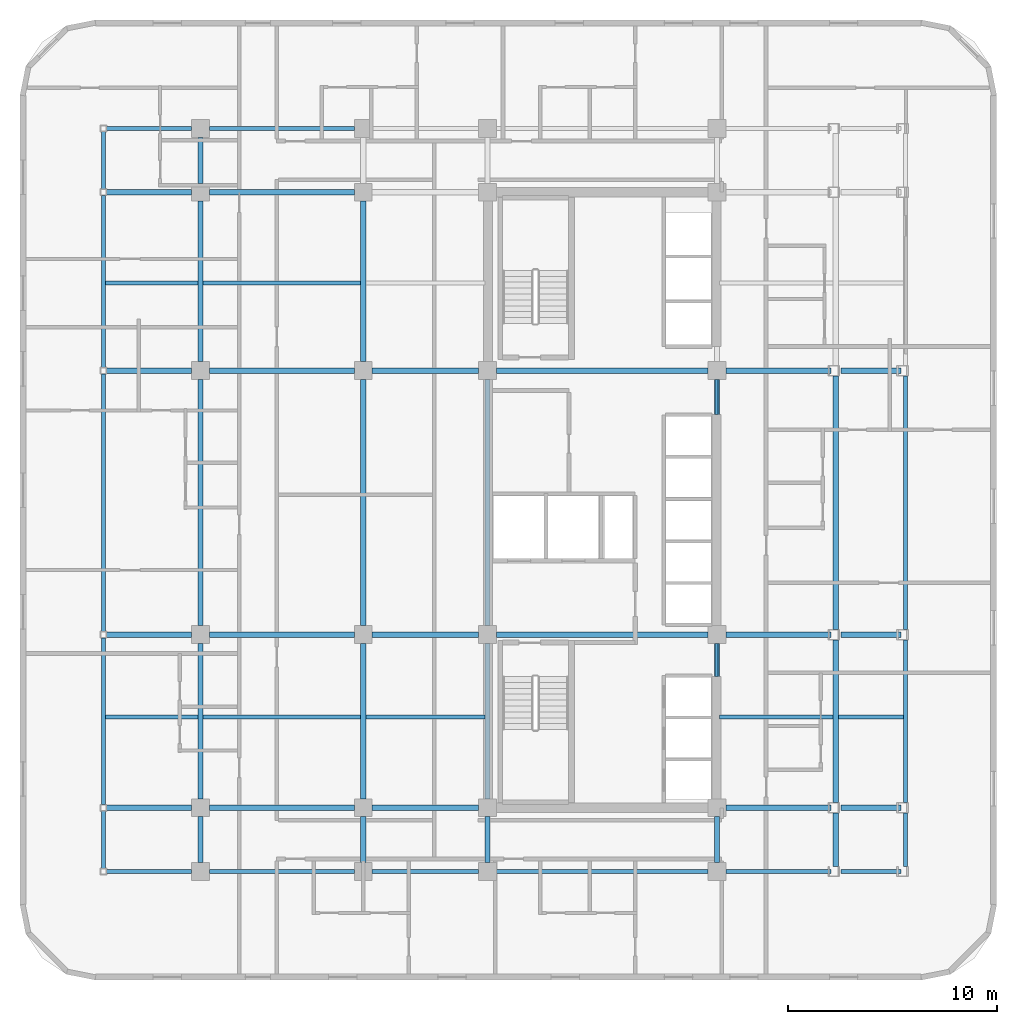
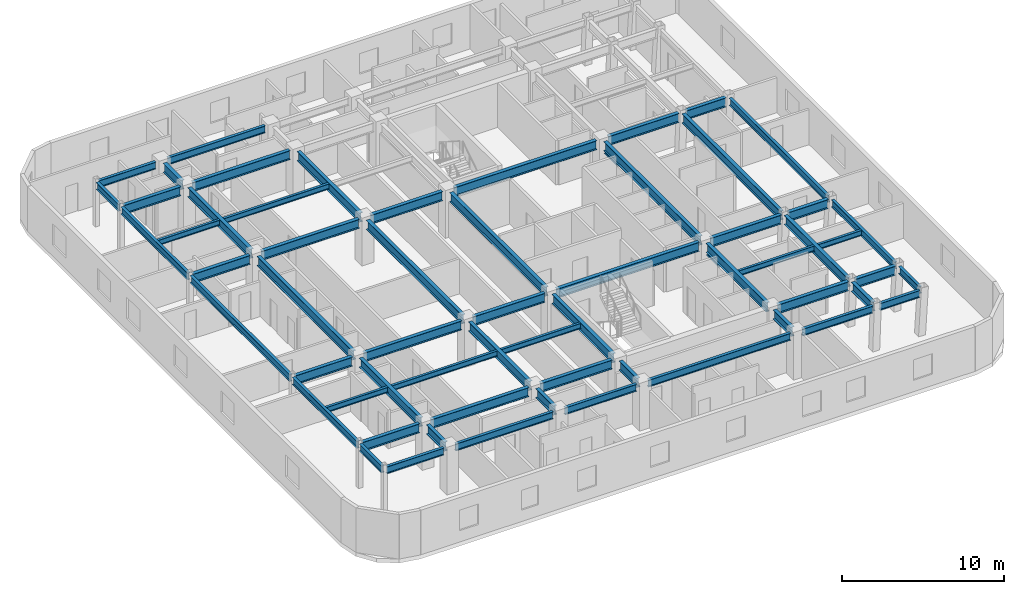
# One storey, part 4 of 12: 62 beams.
"""IFC4 building model written with IfcOpenShell, lengths in metres."""

from ifc_helpers import new_model, si_unit, direction, frame, origin, origin_2d, place, context, subcontext, project, spatial, i_section, extrude, material, material_profile, profile_set, type_object, element, save


model = new_model("IFC4")

# Units and contexts
model_context = context("Model", 3, precision=1e-05, world=origin(), true_north=direction((0.0, 1.0)))
body_context = subcontext(model_context, "Body", "Model", "MODEL_VIEW")
ifc_project = project(units=[si_unit("LENGTHUNIT", "METRE"), si_unit("AREAUNIT", "SQUARE_METRE"), si_unit("VOLUMEUNIT", "CUBIC_METRE"), si_unit("PLANEANGLEUNIT", "RADIAN"), si_unit("MASSUNIT", "GRAM", prefix="KILO")], contexts=[model_context])

# Site, building, storey
site_placement = place(None, origin())
site = spatial("IfcSite", under=ifc_project, at=site_placement, CompositionType="ELEMENT")
building_placement = place(site_placement, origin())
building = spatial("IfcBuilding", under=site, at=building_placement, Name="Ochreholt Gables", CompositionType="ELEMENT")
storey_placement = place(building_placement, frame((0.0, 0.0, 24.0)))
storey = spatial("IfcBuildingStorey", under=building, at=storey_placement, Name="L05", CompositionType="ELEMENT", Elevation=24.0)

# Beams
ifc_material = material(Name="Steel CSA G40.21 350W", Category="steel")
ifc_material_profile_1 = material_profile(ifc_material, i_section(OverallWidth=0.256103515625, OverallDepth=0.693115234375, WebThickness=0.014404296875, FlangeThickness=0.023681640625, at=origin_2d()), Name="W690X170")
ifc_profile_set_1 = profile_set([ifc_material_profile_1], Name="Steel CSA G40.21 350W")
beam_type_1 = type_object("IfcBeamType", Name="BM-G-W690", PredefinedType="BEAM", material=ifc_profile_set_1)
beam_1_placement = place(storey_placement, frame((5.9521484375, 9.25, 3.013427734375), z_axis=(1.0, 0.0, 0.0), x_axis=(0.0, 1.0, 0.0)))
element("IfcBeam", 1, at=beam_1_placement, inside=storey, type_object=beam_type_1, Name="L05 Beam TBG-L05-WTW2-Y2", PredefinedType="BEAM", context=body_context, shape_type="SweptSolid", body=[
    extrude(i_section(OverallWidth=0.256103515625, OverallDepth=0.693115234375, WebThickness=0.014404296875, FlangeThickness=0.023681640625, at=origin_2d()), origin(), (0.0, 0.0, 1.0), 4.0732421875),
])
beam_2_placement = place(storey_placement, frame((10.87451171875, 9.25, 3.013427734375), z_axis=(1.0, 0.0, 0.0), x_axis=(0.0, 1.0, 0.0)))
element("IfcBeam", 2, at=beam_2_placement, inside=storey, type_object=beam_type_1, Name="L05 Beam TBG-L05-W2W3-Y2", PredefinedType="BEAM", context=body_context, shape_type="SweptSolid", body=[
    extrude(i_section(OverallWidth=0.256103515625, OverallDepth=0.693115234375, WebThickness=0.014404296875, FlangeThickness=0.023681640625, at=origin_2d()), origin(), (0.0, 0.0, 1.0), 6.950927734375),
])
beam_3_placement = place(storey_placement, frame((18.674560546875, 9.25, 3.013427734375), z_axis=(1.0, 0.0, 0.0), x_axis=(0.0, 1.0, 0.0)))
element("IfcBeam", 3, at=beam_3_placement, inside=storey, type_object=beam_type_1, Name="L05 Beam TBG-L05-W3C1-Y2", PredefinedType="BEAM", context=body_context, shape_type="SweptSolid", body=[
    extrude(i_section(OverallWidth=0.256103515625, OverallDepth=0.693115234375, WebThickness=0.014404296875, FlangeThickness=0.023681640625, at=origin_2d()), origin(), (0.0, 0.0, 1.0), 5.100830078125),
])
beam_4_placement = place(storey_placement, frame((35.62451171875, 9.25, 3.013427734375), z_axis=(1.0, 0.0, 0.0), x_axis=(0.0, 1.0, 0.0)))
element("IfcBeam", 4, at=beam_4_placement, inside=storey, type_object=beam_type_1, Name="L05 Beam TBG-L05-C2EM-Y2", PredefinedType="BEAM", context=body_context, shape_type="SweptSolid", body=[
    extrude(i_section(OverallWidth=0.256103515625, OverallDepth=0.693115234375, WebThickness=0.014404296875, FlangeThickness=0.023681640625, at=origin_2d()), origin(), (0.0, 0.0, 1.0), 5.02783203125),
])
beam_5_placement = place(storey_placement, frame((41.151611328125, 9.25, 3.013427734375), z_axis=(1.0, 0.0, 0.0), x_axis=(0.0, 1.0, 0.0)))
element("IfcBeam", 5, at=beam_5_placement, inside=storey, type_object=beam_type_1, Name="L05 Beam TBG-L05-EMEE-Y2", PredefinedType="BEAM", context=body_context, shape_type="SweptSolid", body=[
    extrude(i_section(OverallWidth=0.256103515625, OverallDepth=0.693115234375, WebThickness=0.014404296875, FlangeThickness=0.023681640625, at=origin_2d()), origin(), (0.0, 0.0, 1.0), 2.8564453125),
])
beam_6_placement = place(storey_placement, frame((5.9521484375, 17.550048828125, 3.013427734375), z_axis=(1.0, 0.0, 0.0), x_axis=(0.0, 1.0, 0.0)))
element("IfcBeam", 6, at=beam_6_placement, inside=storey, type_object=beam_type_1, Name="L05 Beam TBG-L05-WTW2-Y3", PredefinedType="BEAM", context=body_context, shape_type="SweptSolid", body=[
    extrude(i_section(OverallWidth=0.256103515625, OverallDepth=0.693115234375, WebThickness=0.014404296875, FlangeThickness=0.023681640625, at=origin_2d()), origin(), (0.0, 0.0, 1.0), 4.0732421875),
])
beam_7_placement = place(storey_placement, frame((10.87451171875, 17.550048828125, 3.013427734375), z_axis=(1.0, 0.0, 0.0), x_axis=(0.0, 1.0, 0.0)))
element("IfcBeam", 7, at=beam_7_placement, inside=storey, type_object=beam_type_1, Name="L05 Beam TBG-L05-W2W3-Y3", PredefinedType="BEAM", context=body_context, shape_type="SweptSolid", body=[
    extrude(i_section(OverallWidth=0.256103515625, OverallDepth=0.693115234375, WebThickness=0.014404296875, FlangeThickness=0.023681640625, at=origin_2d()), origin(), (0.0, 0.0, 1.0), 6.950927734375),
])
beam_8_placement = place(storey_placement, frame((18.674560546875, 17.550048828125, 3.013427734375), z_axis=(1.0, 0.0, 0.0), x_axis=(0.0, 1.0, 0.0)))
element("IfcBeam", 8, at=beam_8_placement, inside=storey, type_object=beam_type_1, Name="L05 Beam TBG-L05-W3C1-Y3", PredefinedType="BEAM", context=body_context, shape_type="SweptSolid", body=[
    extrude(i_section(OverallWidth=0.256103515625, OverallDepth=0.693115234375, WebThickness=0.014404296875, FlangeThickness=0.023681640625, at=origin_2d()), origin(), (0.0, 0.0, 1.0), 5.100830078125),
])
beam_9_placement = place(storey_placement, frame((24.62451171875, 17.550048828125, 3.013427734375), z_axis=(1.0, 0.0, 0.0), x_axis=(0.0, 1.0, 0.0)))
element("IfcBeam", 9, at=beam_9_placement, inside=storey, type_object=beam_type_1, Name="L05 Beam TBG-L05-C1C2-Y3", PredefinedType="BEAM", context=body_context, shape_type="SweptSolid", body=[
    extrude(i_section(OverallWidth=0.256103515625, OverallDepth=0.693115234375, WebThickness=0.014404296875, FlangeThickness=0.023681640625, at=origin_2d()), origin(), (0.0, 0.0, 1.0), 10.15087890625),
])
beam_10_placement = place(storey_placement, frame((35.62451171875, 17.550048828125, 3.013427734375), z_axis=(1.0, 0.0, 0.0), x_axis=(0.0, 1.0, 0.0)))
element("IfcBeam", 10, at=beam_10_placement, inside=storey, type_object=beam_type_1, Name="L05 Beam TBG-L05-C2EM-Y3", PredefinedType="BEAM", context=body_context, shape_type="SweptSolid", body=[
    extrude(i_section(OverallWidth=0.256103515625, OverallDepth=0.693115234375, WebThickness=0.014404296875, FlangeThickness=0.023681640625, at=origin_2d()), origin(), (0.0, 0.0, 1.0), 5.02783203125),
])
beam_11_placement = place(storey_placement, frame((41.151611328125, 17.550048828125, 3.013427734375), z_axis=(1.0, 0.0, 0.0), x_axis=(0.0, 1.0, 0.0)))
element("IfcBeam", 11, at=beam_11_placement, inside=storey, type_object=beam_type_1, Name="L05 Beam TBG-L05-EMEE-Y3", PredefinedType="BEAM", context=body_context, shape_type="SweptSolid", body=[
    extrude(i_section(OverallWidth=0.256103515625, OverallDepth=0.693115234375, WebThickness=0.014404296875, FlangeThickness=0.023681640625, at=origin_2d()), origin(), (0.0, 0.0, 1.0), 2.8564453125),
])
beam_12_placement = place(storey_placement, frame((5.9521484375, 30.199951171875, 3.013427734375), z_axis=(1.0, 0.0, 0.0), x_axis=(0.0, 1.0, 0.0)))
element("IfcBeam", 12, at=beam_12_placement, inside=storey, type_object=beam_type_1, Name="L05 Beam TBG-L05-WTW2-Y4", PredefinedType="BEAM", context=body_context, shape_type="SweptSolid", body=[
    extrude(i_section(OverallWidth=0.256103515625, OverallDepth=0.693115234375, WebThickness=0.014404296875, FlangeThickness=0.023681640625, at=origin_2d()), origin(), (0.0, 0.0, 1.0), 4.0732421875),
])
beam_13_placement = place(storey_placement, frame((10.87451171875, 30.199951171875, 3.013427734375), z_axis=(1.0, 0.0, 0.0), x_axis=(0.0, 1.0, 0.0)))
element("IfcBeam", 13, at=beam_13_placement, inside=storey, type_object=beam_type_1, Name="L05 Beam TBG-L05-W2W3-Y4", PredefinedType="BEAM", context=body_context, shape_type="SweptSolid", body=[
    extrude(i_section(OverallWidth=0.256103515625, OverallDepth=0.693115234375, WebThickness=0.014404296875, FlangeThickness=0.023681640625, at=origin_2d()), origin(), (0.0, 0.0, 1.0), 6.950927734375),
])
beam_14_placement = place(storey_placement, frame((18.674560546875, 30.199951171875, 3.013427734375), z_axis=(1.0, 0.0, 0.0), x_axis=(0.0, 1.0, 0.0)))
element("IfcBeam", 14, at=beam_14_placement, inside=storey, type_object=beam_type_1, Name="L05 Beam TBG-L05-W3C1-Y4", PredefinedType="BEAM", context=body_context, shape_type="SweptSolid", body=[
    extrude(i_section(OverallWidth=0.256103515625, OverallDepth=0.693115234375, WebThickness=0.014404296875, FlangeThickness=0.023681640625, at=origin_2d()), origin(), (0.0, 0.0, 1.0), 5.100830078125),
])
beam_15_placement = place(storey_placement, frame((24.62451171875, 30.199951171875, 3.013427734375), z_axis=(1.0, 0.0, 0.0), x_axis=(0.0, 1.0, 0.0)))
element("IfcBeam", 15, at=beam_15_placement, inside=storey, type_object=beam_type_1, Name="L05 Beam TBG-L05-C1C2-Y4", PredefinedType="BEAM", context=body_context, shape_type="SweptSolid", body=[
    extrude(i_section(OverallWidth=0.256103515625, OverallDepth=0.693115234375, WebThickness=0.014404296875, FlangeThickness=0.023681640625, at=origin_2d()), origin(), (0.0, 0.0, 1.0), 10.15087890625),
])
beam_16_placement = place(storey_placement, frame((35.62451171875, 30.199951171875, 3.013427734375), z_axis=(1.0, 0.0, 0.0), x_axis=(0.0, 1.0, 0.0)))
element("IfcBeam", 16, at=beam_16_placement, inside=storey, type_object=beam_type_1, Name="L05 Beam TBG-L05-C2EM-Y4", PredefinedType="BEAM", context=body_context, shape_type="SweptSolid", body=[
    extrude(i_section(OverallWidth=0.256103515625, OverallDepth=0.693115234375, WebThickness=0.014404296875, FlangeThickness=0.023681640625, at=origin_2d()), origin(), (0.0, 0.0, 1.0), 5.02783203125),
])
beam_17_placement = place(storey_placement, frame((41.151611328125, 30.199951171875, 3.013427734375), z_axis=(1.0, 0.0, 0.0), x_axis=(0.0, 1.0, 0.0)))
element("IfcBeam", 17, at=beam_17_placement, inside=storey, type_object=beam_type_1, Name="L05 Beam TBG-L05-EMEE-Y4", PredefinedType="BEAM", context=body_context, shape_type="SweptSolid", body=[
    extrude(i_section(OverallWidth=0.256103515625, OverallDepth=0.693115234375, WebThickness=0.014404296875, FlangeThickness=0.023681640625, at=origin_2d()), origin(), (0.0, 0.0, 1.0), 2.8564453125),
])
beam_18_placement = place(storey_placement, frame((5.9521484375, 38.75, 3.013427734375), z_axis=(1.0, 0.0, 0.0), x_axis=(0.0, 1.0, 0.0)))
element("IfcBeam", 18, at=beam_18_placement, inside=storey, type_object=beam_type_1, Name="L05 Beam TBG-L05-WTW2-Y5", PredefinedType="BEAM", context=body_context, shape_type="SweptSolid", body=[
    extrude(i_section(OverallWidth=0.256103515625, OverallDepth=0.693115234375, WebThickness=0.014404296875, FlangeThickness=0.023681640625, at=origin_2d()), origin(), (0.0, 0.0, 1.0), 4.0732421875),
])
beam_19_placement = place(storey_placement, frame((10.87451171875, 38.75, 3.013427734375), z_axis=(1.0, 0.0, 0.0), x_axis=(0.0, 1.0, 0.0)))
element("IfcBeam", 19, at=beam_19_placement, inside=storey, type_object=beam_type_1, Name="L05 Beam TBG-L05-W2W3-Y5", PredefinedType="BEAM", context=body_context, shape_type="SweptSolid", body=[
    extrude(i_section(OverallWidth=0.256103515625, OverallDepth=0.693115234375, WebThickness=0.014404296875, FlangeThickness=0.023681640625, at=origin_2d()), origin(), (0.0, 0.0, 1.0), 6.950927734375),
])
beam_20_placement = place(storey_placement, frame((10.449951171875, 6.62451171875, 3.013427734375), z_axis=(0.0, 1.0, 0.0), x_axis=(-1.0, 0.0, 0.0)))
element("IfcBeam", 20, at=beam_20_placement, inside=storey, type_object=beam_type_1, Name="L05 Beam TBN-L05-W2-Y1Y2", PredefinedType="BEAM", context=body_context, shape_type="SweptSolid", body=[
    extrude(i_section(OverallWidth=0.256103515625, OverallDepth=0.693115234375, WebThickness=0.014404296875, FlangeThickness=0.023681640625, at=origin_2d()), origin(), (0.0, 0.0, 1.0), 2.200927734375),
])
beam_21_placement = place(storey_placement, frame((10.449951171875, 9.674560546875, 3.013427734375), z_axis=(0.0, 1.0, 0.0), x_axis=(-1.0, 0.0, 0.0)))
element("IfcBeam", 21, at=beam_21_placement, inside=storey, type_object=beam_type_1, Name="L05 Beam TBN-L05-W2-Y2Y3", PredefinedType="BEAM", context=body_context, shape_type="SweptSolid", body=[
    extrude(i_section(OverallWidth=0.256103515625, OverallDepth=0.693115234375, WebThickness=0.014404296875, FlangeThickness=0.023681640625, at=origin_2d()), origin(), (0.0, 0.0, 1.0), 7.450927734375),
])
beam_22_placement = place(storey_placement, frame((10.449951171875, 17.974609375, 3.013427734375), z_axis=(0.0, 1.0, 0.0), x_axis=(-1.0, 0.0, 0.0)))
element("IfcBeam", 22, at=beam_22_placement, inside=storey, type_object=beam_type_1, Name="L05 Beam TBN-L05-W2-Y3Y4", PredefinedType="BEAM", context=body_context, shape_type="SweptSolid", body=[
    extrude(i_section(OverallWidth=0.256103515625, OverallDepth=0.693115234375, WebThickness=0.014404296875, FlangeThickness=0.023681640625, at=origin_2d()), origin(), (0.0, 0.0, 1.0), 11.80078125),
])
beam_23_placement = place(storey_placement, frame((10.449951171875, 30.62451171875, 3.013427734375), z_axis=(0.0, 1.0, 0.0), x_axis=(-1.0, 0.0, 0.0)))
element("IfcBeam", 23, at=beam_23_placement, inside=storey, type_object=beam_type_1, Name="L05 Beam TBN-L05-W2-Y4Y5", PredefinedType="BEAM", context=body_context, shape_type="SweptSolid", body=[
    extrude(i_section(OverallWidth=0.256103515625, OverallDepth=0.693115234375, WebThickness=0.014404296875, FlangeThickness=0.023681640625, at=origin_2d()), origin(), (0.0, 0.0, 1.0), 7.700927734375),
])
for number, where, z_axis, x_axis, name in (
    (24, (10.449951171875, 39.174560546875, 3.013427734375), (0.0, 1.0, 0.0), (-1.0, 0.0, 0.0), "L05 Beam TBN-L05-W2-Y5Y6"),
    (25, (18.25, 6.62451171875, 3.013427734375), (0.0, 1.0, 0.0), (-1.0, 0.0, 0.0), "L05 Beam TBN-L05-W3-Y1Y2"),
):
    element("IfcBeam", number, at=place(storey_placement, frame(where, z_axis=z_axis, x_axis=x_axis)), inside=storey, type_object=beam_type_1, Name=name, PredefinedType="BEAM", context=body_context, shape_type="SweptSolid", body=[
        extrude(i_section(OverallWidth=0.256103515625, OverallDepth=0.693115234375, WebThickness=0.014404296875, FlangeThickness=0.023681640625, at=origin_2d()), origin(), (0.0, 0.0, 1.0), 2.200927734375),
    ])
beam_24_placement = place(storey_placement, frame((18.25, 9.674560546875, 3.013427734375), z_axis=(0.0, 1.0, 0.0), x_axis=(-1.0, 0.0, 0.0)))
element("IfcBeam", 26, at=beam_24_placement, inside=storey, type_object=beam_type_1, Name="L05 Beam TBN-L05-W3-Y2Y3", PredefinedType="BEAM", context=body_context, shape_type="SweptSolid", body=[
    extrude(i_section(OverallWidth=0.256103515625, OverallDepth=0.693115234375, WebThickness=0.014404296875, FlangeThickness=0.023681640625, at=origin_2d()), origin(), (0.0, 0.0, 1.0), 7.450927734375),
])
beam_25_placement = place(storey_placement, frame((18.25, 17.974609375, 3.013427734375), z_axis=(0.0, 1.0, 0.0), x_axis=(-1.0, 0.0, 0.0)))
element("IfcBeam", 27, at=beam_25_placement, inside=storey, type_object=beam_type_1, Name="L05 Beam TBN-L05-W3-Y3Y4", PredefinedType="BEAM", context=body_context, shape_type="SweptSolid", body=[
    extrude(i_section(OverallWidth=0.256103515625, OverallDepth=0.693115234375, WebThickness=0.014404296875, FlangeThickness=0.023681640625, at=origin_2d()), origin(), (0.0, 0.0, 1.0), 11.80078125),
])
beam_26_placement = place(storey_placement, frame((18.25, 30.62451171875, 3.013427734375), z_axis=(0.0, 1.0, 0.0), x_axis=(-1.0, 0.0, 0.0)))
element("IfcBeam", 28, at=beam_26_placement, inside=storey, type_object=beam_type_1, Name="L05 Beam TBN-L05-W3-Y4Y5", PredefinedType="BEAM", context=body_context, shape_type="SweptSolid", body=[
    extrude(i_section(OverallWidth=0.256103515625, OverallDepth=0.693115234375, WebThickness=0.014404296875, FlangeThickness=0.023681640625, at=origin_2d()), origin(), (0.0, 0.0, 1.0), 7.700927734375),
])
beam_27_placement = place(storey_placement, frame((24.199951171875, 6.62451171875, 3.013427734375), z_axis=(0.0, 1.0, 0.0), x_axis=(-1.0, 0.0, 0.0)))
element("IfcBeam", 29, at=beam_27_placement, inside=storey, type_object=beam_type_1, Name="L05 Beam TBN-L05-C1-Y1Y2", PredefinedType="BEAM", context=body_context, shape_type="SweptSolid", body=[
    extrude(i_section(OverallWidth=0.256103515625, OverallDepth=0.693115234375, WebThickness=0.014404296875, FlangeThickness=0.023681640625, at=origin_2d()), origin(), (0.0, 0.0, 1.0), 2.200927734375),
])
beam_28_placement = place(storey_placement, frame((24.199951171875, 9.674560546875, 3.013427734375), z_axis=(0.0, 1.0, 0.0), x_axis=(-1.0, 0.0, 0.0)))
element("IfcBeam", 30, at=beam_28_placement, inside=storey, type_object=beam_type_1, Name="L05 Beam TBN-L05-C1-Y2Y3", PredefinedType="BEAM", context=body_context, shape_type="SweptSolid", body=[
    extrude(i_section(OverallWidth=0.256103515625, OverallDepth=0.693115234375, WebThickness=0.014404296875, FlangeThickness=0.023681640625, at=origin_2d()), origin(), (0.0, 0.0, 1.0), 7.450927734375),
])
beam_29_placement = place(storey_placement, frame((24.199951171875, 17.974609375, 3.013427734375), z_axis=(0.0, 1.0, 0.0), x_axis=(-1.0, 0.0, 0.0)))
element("IfcBeam", 31, at=beam_29_placement, inside=storey, type_object=beam_type_1, Name="L05 Beam TBN-L05-C1-Y3Y4", PredefinedType="BEAM", context=body_context, shape_type="SweptSolid", body=[
    extrude(i_section(OverallWidth=0.256103515625, OverallDepth=0.693115234375, WebThickness=0.014404296875, FlangeThickness=0.023681640625, at=origin_2d()), origin(), (0.0, 0.0, 1.0), 11.80078125),
])
beam_30_placement = place(storey_placement, frame((35.199951171875, 6.62451171875, 3.013427734375), z_axis=(0.0, 1.0, 0.0), x_axis=(-1.0, 0.0, 0.0)))
element("IfcBeam", 32, at=beam_30_placement, inside=storey, type_object=beam_type_1, Name="L05 Beam TBN-L05-C2-Y1Y2", PredefinedType="BEAM", context=body_context, shape_type="SweptSolid", body=[
    extrude(i_section(OverallWidth=0.256103515625, OverallDepth=0.693115234375, WebThickness=0.014404296875, FlangeThickness=0.023681640625, at=origin_2d()), origin(), (0.0, 0.0, 1.0), 2.200927734375),
])
beam_31_placement = place(storey_placement, frame((35.199951171875, 9.674560546875, 3.013427734375), z_axis=(0.0, 1.0, 0.0), x_axis=(-1.0, 0.0, 0.0)))
element("IfcBeam", 33, at=beam_31_placement, inside=storey, type_object=beam_type_1, Name="L05 Beam TBN-L05-C2-Y2Y3", PredefinedType="BEAM", context=body_context, shape_type="SweptSolid", body=[
    extrude(i_section(OverallWidth=0.256103515625, OverallDepth=0.693115234375, WebThickness=0.014404296875, FlangeThickness=0.023681640625, at=origin_2d()), origin(), (0.0, 0.0, 1.0), 7.450927734375),
])
beam_32_placement = place(storey_placement, frame((35.199951171875, 17.974609375, 3.013427734375), z_axis=(0.0, 1.0, 0.0), x_axis=(-1.0, 0.0, 0.0)))
element("IfcBeam", 34, at=beam_32_placement, inside=storey, type_object=beam_type_1, Name="L05 Beam TBN-L05-C2-Y3Y4", PredefinedType="BEAM", context=body_context, shape_type="SweptSolid", body=[
    extrude(i_section(OverallWidth=0.256103515625, OverallDepth=0.693115234375, WebThickness=0.014404296875, FlangeThickness=0.023681640625, at=origin_2d()), origin(), (0.0, 0.0, 1.0), 11.80078125),
])
beam_33_placement = place(storey_placement, frame((40.885009765625, 6.44970703125, 3.013427734375), z_axis=(0.0, 1.0, 0.0), x_axis=(-1.0, 0.0, 0.0)))
element("IfcBeam", 35, at=beam_33_placement, inside=storey, type_object=beam_type_1, Name="L05 Beam TBN-L05-EM-Y1Y2", PredefinedType="BEAM", context=body_context, shape_type="SweptSolid", body=[
    extrude(i_section(OverallWidth=0.256103515625, OverallDepth=0.693115234375, WebThickness=0.014404296875, FlangeThickness=0.023681640625, at=origin_2d()), origin(), (0.0, 0.0, 1.0), 2.55078125),
])
beam_34_placement = place(storey_placement, frame((40.885009765625, 9.49951171875, 3.013427734375), z_axis=(0.0, 1.0, 0.0), x_axis=(-1.0, 0.0, 0.0)))
element("IfcBeam", 36, at=beam_34_placement, inside=storey, type_object=beam_type_1, Name="L05 Beam TBN-L05-EM-Y2Y3", PredefinedType="BEAM", context=body_context, shape_type="SweptSolid", body=[
    extrude(i_section(OverallWidth=0.256103515625, OverallDepth=0.693115234375, WebThickness=0.014404296875, FlangeThickness=0.023681640625, at=origin_2d()), origin(), (0.0, 0.0, 1.0), 7.80078125),
])
beam_35_placement = place(storey_placement, frame((40.885009765625, 17.799560546875, 3.013427734375), z_axis=(0.0, 1.0, 0.0), x_axis=(-1.0, 0.0, 0.0)))
element("IfcBeam", 37, at=beam_35_placement, inside=storey, type_object=beam_type_1, Name="L05 Beam TBN-L05-EM-Y3Y4", PredefinedType="BEAM", context=body_context, shape_type="SweptSolid", body=[
    extrude(i_section(OverallWidth=0.256103515625, OverallDepth=0.693115234375, WebThickness=0.014404296875, FlangeThickness=0.023681640625, at=origin_2d()), origin(), (0.0, 0.0, 1.0), 12.15087890625),
])
ifc_material_profile_2 = material_profile(ifc_material, i_section(OverallWidth=0.178955078125, OverallDepth=0.409912109375, WebThickness=0.0087890625, FlangeThickness=0.014404296875, at=origin_2d()), Name="W410X67")
ifc_profile_set_2 = profile_set([ifc_material_profile_2], Name="Steel CSA G40.21 350W")
beam_type_2 = type_object("IfcBeamType", Name="BM-J-W410", PredefinedType="JOIST", material=ifc_profile_set_2)
beam_36_placement = place(storey_placement, frame((5.904052734375, 13.60009765625, 3.155029296875), z_axis=(1.0, 0.0, 0.0), x_axis=(0.0, 1.0, 0.0)))
element("IfcBeam", 38, at=beam_36_placement, inside=storey, type_object=beam_type_2, Name="L05 Beam TBJ-L05-J1-WTW2", PredefinedType="JOIST", context=body_context, shape_type="SweptSolid", body=[
    extrude(i_section(OverallWidth=0.178955078125, OverallDepth=0.409912109375, WebThickness=0.0087890625, FlangeThickness=0.014404296875, at=origin_2d()), origin(), (0.0, 0.0, 1.0), 4.41845703125),
])
beam_37_placement = place(storey_placement, frame((10.57763671875, 13.60009765625, 3.155029296875), z_axis=(1.0, 0.0, 0.0), x_axis=(0.0, 1.0, 0.0)))
element("IfcBeam", 39, at=beam_37_placement, inside=storey, type_object=beam_type_2, Name="L05 Beam TBJ-L05-J1-W2W3", PredefinedType="JOIST", context=body_context, shape_type="SweptSolid", body=[
    extrude(i_section(OverallWidth=0.178955078125, OverallDepth=0.409912109375, WebThickness=0.0087890625, FlangeThickness=0.014404296875, at=origin_2d()), origin(), (0.0, 0.0, 1.0), 7.544677734375),
])
beam_38_placement = place(storey_placement, frame((18.377685546875, 13.60009765625, 3.155029296875), z_axis=(1.0, 0.0, 0.0), x_axis=(0.0, 1.0, 0.0)))
element("IfcBeam", 40, at=beam_38_placement, inside=storey, type_object=beam_type_2, Name="L05 Beam TBJ-L05-J1-W3C1", PredefinedType="JOIST", context=body_context, shape_type="SweptSolid", body=[
    extrude(i_section(OverallWidth=0.178955078125, OverallDepth=0.409912109375, WebThickness=0.0087890625, FlangeThickness=0.014404296875, at=origin_2d()), origin(), (0.0, 0.0, 1.0), 5.69482421875),
])
beam_39_placement = place(storey_placement, frame((35.32763671875, 13.60009765625, 3.155029296875), z_axis=(1.0, 0.0, 0.0), x_axis=(0.0, 1.0, 0.0)))
element("IfcBeam", 41, at=beam_39_placement, inside=storey, type_object=beam_type_2, Name="L05 Beam TBJ-L05-J1-C2EM", PredefinedType="JOIST", context=body_context, shape_type="SweptSolid", body=[
    extrude(i_section(OverallWidth=0.178955078125, OverallDepth=0.409912109375, WebThickness=0.0087890625, FlangeThickness=0.014404296875, at=origin_2d()), origin(), (0.0, 0.0, 1.0), 5.4296875),
])
beam_40_placement = place(storey_placement, frame((41.012451171875, 13.60009765625, 3.155029296875), z_axis=(1.0, 0.0, 0.0), x_axis=(0.0, 1.0, 0.0)))
element("IfcBeam", 42, at=beam_40_placement, inside=storey, type_object=beam_type_2, Name="L05 Beam TBJ-L05-J1-EMEE", PredefinedType="JOIST", context=body_context, shape_type="SweptSolid", body=[
    extrude(i_section(OverallWidth=0.178955078125, OverallDepth=0.409912109375, WebThickness=0.0087890625, FlangeThickness=0.014404296875, at=origin_2d()), origin(), (0.0, 0.0, 1.0), 3.112548828125),
])
beam_41_placement = place(storey_placement, frame((5.904052734375, 34.39990234375, 3.155029296875), z_axis=(1.0, 0.0, 0.0), x_axis=(0.0, 1.0, 0.0)))
element("IfcBeam", 43, at=beam_41_placement, inside=storey, type_object=beam_type_2, Name="L05 Beam TBJ-L05-J2-WTW2", PredefinedType="JOIST", context=body_context, shape_type="SweptSolid", body=[
    extrude(i_section(OverallWidth=0.178955078125, OverallDepth=0.409912109375, WebThickness=0.0087890625, FlangeThickness=0.014404296875, at=origin_2d()), origin(), (0.0, 0.0, 1.0), 4.41845703125),
])
beam_42_placement = place(storey_placement, frame((10.57763671875, 34.39990234375, 3.155029296875), z_axis=(1.0, 0.0, 0.0), x_axis=(0.0, 1.0, 0.0)))
element("IfcBeam", 44, at=beam_42_placement, inside=storey, type_object=beam_type_2, Name="L05 Beam TBJ-L05-J2-W2W3", PredefinedType="JOIST", context=body_context, shape_type="SweptSolid", body=[
    extrude(i_section(OverallWidth=0.178955078125, OverallDepth=0.409912109375, WebThickness=0.0087890625, FlangeThickness=0.014404296875, at=origin_2d()), origin(), (0.0, 0.0, 1.0), 7.544677734375),
])
ifc_material_profile_3 = material_profile(ifc_material, i_section(OverallWidth=0.1650390625, OverallDepth=0.200927734375, WebThickness=0.006103515625, FlangeThickness=0.01025390625, at=origin_2d()), Name="W200X36")
ifc_profile_set_3 = profile_set([ifc_material_profile_3], Name="Steel CSA G40.21 350W")
beam_type_3 = type_object("IfcBeamType", Name="BM-LIN-W200", PredefinedType="LINTEL", material=ifc_profile_set_3)
beam_43_placement = place(storey_placement, frame((35.175048828125, 15.550048828125, 2.56640625), z_axis=(0.0, 1.0, 0.0), x_axis=(-1.0, 0.0, 0.0)))
element("IfcBeam", 45, at=beam_43_placement, inside=storey, type_object=beam_type_3, Name="L05 Core Coupling Lintel CPS", PredefinedType="LINTEL", context=body_context, shape_type="SweptSolid", body=[
    extrude(i_section(OverallWidth=0.1650390625, OverallDepth=0.200927734375, WebThickness=0.006103515625, FlangeThickness=0.01025390625, at=origin_2d()), origin(), (0.0, 0.0, 1.0), 1.574951171875),
])
beam_44_placement = place(storey_placement, frame((35.175048828125, 28.10009765625, 2.56640625), z_axis=(0.0, 1.0, 0.0), x_axis=(-1.0, 0.0, 0.0)))
element("IfcBeam", 46, at=beam_44_placement, inside=storey, type_object=beam_type_3, Name="L05 Core Coupling Lintel CPN", PredefinedType="LINTEL", context=body_context, shape_type="SweptSolid", body=[
    extrude(i_section(OverallWidth=0.1650390625, OverallDepth=0.200927734375, WebThickness=0.006103515625, FlangeThickness=0.01025390625, at=origin_2d()), origin(), (0.0, 0.0, 1.0), 1.6748046875),
])
ifc_material_profile_4 = material_profile(ifc_material, i_section(OverallWidth=0.208984375, OverallDepth=0.532958984375, WebThickness=0.01025390625, FlangeThickness=0.015625, at=origin_2d()), Name="W530X92")
ifc_profile_set_4 = profile_set([ifc_material_profile_4], Name="Steel CSA G40.21 350W")
beam_type_4 = type_object("IfcBeamType", Name="BM-SP-W530B", PredefinedType="SPANDREL", material=ifc_profile_set_4)
beam_45_placement = place(storey_placement, frame((5.9521484375, 6.199951171875, 3.093505859375), z_axis=(1.0, 0.0, 0.0), x_axis=(0.0, 1.0, 0.0)))
element("IfcBeam", 47, at=beam_45_placement, inside=storey, type_object=beam_type_4, Name="L05 Beam TBG-L05-WTW2-Y1", PredefinedType="SPANDREL", context=body_context, shape_type="SweptSolid", body=[
    extrude(i_section(OverallWidth=0.208984375, OverallDepth=0.532958984375, WebThickness=0.01025390625, FlangeThickness=0.015625, at=origin_2d()), origin(), (0.0, 0.0, 1.0), 4.0732421875),
])
beam_46_placement = place(storey_placement, frame((10.87451171875, 6.199951171875, 3.093505859375), z_axis=(1.0, 0.0, 0.0), x_axis=(0.0, 1.0, 0.0)))
element("IfcBeam", 48, at=beam_46_placement, inside=storey, type_object=beam_type_4, Name="L05 Beam TBG-L05-W2W3-Y1", PredefinedType="SPANDREL", context=body_context, shape_type="SweptSolid", body=[
    extrude(i_section(OverallWidth=0.208984375, OverallDepth=0.532958984375, WebThickness=0.01025390625, FlangeThickness=0.015625, at=origin_2d()), origin(), (0.0, 0.0, 1.0), 6.950927734375),
])
beam_47_placement = place(storey_placement, frame((18.674560546875, 6.199951171875, 3.093505859375), z_axis=(1.0, 0.0, 0.0), x_axis=(0.0, 1.0, 0.0)))
element("IfcBeam", 49, at=beam_47_placement, inside=storey, type_object=beam_type_4, Name="L05 Beam TBG-L05-W3C1-Y1", PredefinedType="SPANDREL", context=body_context, shape_type="SweptSolid", body=[
    extrude(i_section(OverallWidth=0.208984375, OverallDepth=0.532958984375, WebThickness=0.01025390625, FlangeThickness=0.015625, at=origin_2d()), origin(), (0.0, 0.0, 1.0), 5.100830078125),
])
beam_48_placement = place(storey_placement, frame((24.62451171875, 6.199951171875, 3.093505859375), z_axis=(1.0, 0.0, 0.0), x_axis=(0.0, 1.0, 0.0)))
element("IfcBeam", 50, at=beam_48_placement, inside=storey, type_object=beam_type_4, Name="L05 Beam TBG-L05-C1C2-Y1", PredefinedType="SPANDREL", context=body_context, shape_type="SweptSolid", body=[
    extrude(i_section(OverallWidth=0.208984375, OverallDepth=0.532958984375, WebThickness=0.01025390625, FlangeThickness=0.015625, at=origin_2d()), origin(), (0.0, 0.0, 1.0), 10.15087890625),
])
beam_49_placement = place(storey_placement, frame((35.62451171875, 6.199951171875, 3.093505859375), z_axis=(1.0, 0.0, 0.0), x_axis=(0.0, 1.0, 0.0)))
element("IfcBeam", 51, at=beam_49_placement, inside=storey, type_object=beam_type_4, Name="L05 Beam TBG-L05-C2EM-Y1", PredefinedType="SPANDREL", context=body_context, shape_type="SweptSolid", body=[
    extrude(i_section(OverallWidth=0.208984375, OverallDepth=0.532958984375, WebThickness=0.01025390625, FlangeThickness=0.015625, at=origin_2d()), origin(), (0.0, 0.0, 1.0), 5.02783203125),
])
beam_50_placement = place(storey_placement, frame((41.151611328125, 6.199951171875, 3.093505859375), z_axis=(1.0, 0.0, 0.0), x_axis=(0.0, 1.0, 0.0)))
element("IfcBeam", 52, at=beam_50_placement, inside=storey, type_object=beam_type_4, Name="L05 Beam TBG-L05-EMEE-Y1", PredefinedType="SPANDREL", context=body_context, shape_type="SweptSolid", body=[
    extrude(i_section(OverallWidth=0.208984375, OverallDepth=0.532958984375, WebThickness=0.01025390625, FlangeThickness=0.015625, at=origin_2d()), origin(), (0.0, 0.0, 1.0), 2.8564453125),
])
beam_51_placement = place(storey_placement, frame((5.9521484375, 41.800048828125, 3.093505859375), z_axis=(1.0, 0.0, 0.0), x_axis=(0.0, 1.0, 0.0)))
element("IfcBeam", 53, at=beam_51_placement, inside=storey, type_object=beam_type_4, Name="L05 Beam TBG-L05-WTW2-Y6", PredefinedType="SPANDREL", context=body_context, shape_type="SweptSolid", body=[
    extrude(i_section(OverallWidth=0.208984375, OverallDepth=0.532958984375, WebThickness=0.01025390625, FlangeThickness=0.015625, at=origin_2d()), origin(), (0.0, 0.0, 1.0), 4.0732421875),
])
beam_52_placement = place(storey_placement, frame((10.87451171875, 41.800048828125, 3.093505859375), z_axis=(1.0, 0.0, 0.0), x_axis=(0.0, 1.0, 0.0)))
element("IfcBeam", 54, at=beam_52_placement, inside=storey, type_object=beam_type_4, Name="L05 Beam TBG-L05-W2W3-Y6", PredefinedType="SPANDREL", context=body_context, shape_type="SweptSolid", body=[
    extrude(i_section(OverallWidth=0.208984375, OverallDepth=0.532958984375, WebThickness=0.01025390625, FlangeThickness=0.015625, at=origin_2d()), origin(), (0.0, 0.0, 1.0), 6.950927734375),
])
beam_53_placement = place(storey_placement, frame((5.800048828125, 6.35205078125, 3.093505859375), z_axis=(0.0, 1.0, 0.0), x_axis=(-1.0, 0.0, 0.0)))
element("IfcBeam", 55, at=beam_53_placement, inside=storey, type_object=beam_type_4, Name="L05 Beam TBN-L05-WT-Y1Y2", PredefinedType="SPANDREL", context=body_context, shape_type="SweptSolid", body=[
    extrude(i_section(OverallWidth=0.208984375, OverallDepth=0.532958984375, WebThickness=0.01025390625, FlangeThickness=0.015625, at=origin_2d()), origin(), (0.0, 0.0, 1.0), 2.745849609375),
])
beam_54_placement = place(storey_placement, frame((5.800048828125, 9.402099609375, 3.093505859375), z_axis=(0.0, 1.0, 0.0), x_axis=(-1.0, 0.0, 0.0)))
element("IfcBeam", 56, at=beam_54_placement, inside=storey, type_object=beam_type_4, Name="L05 Beam TBN-L05-WT-Y2Y3", PredefinedType="SPANDREL", context=body_context, shape_type="SweptSolid", body=[
    extrude(i_section(OverallWidth=0.208984375, OverallDepth=0.532958984375, WebThickness=0.01025390625, FlangeThickness=0.015625, at=origin_2d()), origin(), (0.0, 0.0, 1.0), 7.995849609375),
])
beam_55_placement = place(storey_placement, frame((5.800048828125, 17.7021484375, 3.093505859375), z_axis=(0.0, 1.0, 0.0), x_axis=(-1.0, 0.0, 0.0)))
element("IfcBeam", 57, at=beam_55_placement, inside=storey, type_object=beam_type_4, Name="L05 Beam TBN-L05-WT-Y3Y4", PredefinedType="SPANDREL", context=body_context, shape_type="SweptSolid", body=[
    extrude(i_section(OverallWidth=0.208984375, OverallDepth=0.532958984375, WebThickness=0.01025390625, FlangeThickness=0.015625, at=origin_2d()), origin(), (0.0, 0.0, 1.0), 12.345703125),
])
beam_56_placement = place(storey_placement, frame((5.800048828125, 30.35205078125, 3.093505859375), z_axis=(0.0, 1.0, 0.0), x_axis=(-1.0, 0.0, 0.0)))
element("IfcBeam", 58, at=beam_56_placement, inside=storey, type_object=beam_type_4, Name="L05 Beam TBN-L05-WT-Y4Y5", PredefinedType="SPANDREL", context=body_context, shape_type="SweptSolid", body=[
    extrude(i_section(OverallWidth=0.208984375, OverallDepth=0.532958984375, WebThickness=0.01025390625, FlangeThickness=0.015625, at=origin_2d()), origin(), (0.0, 0.0, 1.0), 8.245849609375),
])
beam_57_placement = place(storey_placement, frame((5.800048828125, 38.902099609375, 3.093505859375), z_axis=(0.0, 1.0, 0.0), x_axis=(-1.0, 0.0, 0.0)))
element("IfcBeam", 59, at=beam_57_placement, inside=storey, type_object=beam_type_4, Name="L05 Beam TBN-L05-WT-Y5Y6", PredefinedType="SPANDREL", context=body_context, shape_type="SweptSolid", body=[
    extrude(i_section(OverallWidth=0.208984375, OverallDepth=0.532958984375, WebThickness=0.01025390625, FlangeThickness=0.015625, at=origin_2d()), origin(), (0.0, 0.0, 1.0), 2.745849609375),
])
beam_58_placement = place(storey_placement, frame((44.229248046875, 6.44970703125, 3.093505859375), z_axis=(0.0, 1.0, 0.0), x_axis=(-1.0, 0.0, 0.0)))
element("IfcBeam", 60, at=beam_58_placement, inside=storey, type_object=beam_type_4, Name="L05 Beam TBN-L05-EE-Y1Y2", PredefinedType="SPANDREL", context=body_context, shape_type="SweptSolid", body=[
    extrude(i_section(OverallWidth=0.208984375, OverallDepth=0.532958984375, WebThickness=0.01025390625, FlangeThickness=0.015625, at=origin_2d()), origin(), (0.0, 0.0, 1.0), 2.55078125),
])
beam_59_placement = place(storey_placement, frame((44.229248046875, 9.49951171875, 3.093505859375), z_axis=(0.0, 1.0, 0.0), x_axis=(-1.0, 0.0, 0.0)))
element("IfcBeam", 61, at=beam_59_placement, inside=storey, type_object=beam_type_4, Name="L05 Beam TBN-L05-EE-Y2Y3", PredefinedType="SPANDREL", context=body_context, shape_type="SweptSolid", body=[
    extrude(i_section(OverallWidth=0.208984375, OverallDepth=0.532958984375, WebThickness=0.01025390625, FlangeThickness=0.015625, at=origin_2d()), origin(), (0.0, 0.0, 1.0), 7.80078125),
])
beam_60_placement = place(storey_placement, frame((44.229248046875, 17.799560546875, 3.093505859375), z_axis=(0.0, 1.0, 0.0), x_axis=(-1.0, 0.0, 0.0)))
element("IfcBeam", 62, at=beam_60_placement, inside=storey, type_object=beam_type_4, Name="L05 Beam TBN-L05-EE-Y3Y4", PredefinedType="SPANDREL", context=body_context, shape_type="SweptSolid", body=[
    extrude(i_section(OverallWidth=0.208984375, OverallDepth=0.532958984375, WebThickness=0.01025390625, FlangeThickness=0.015625, at=origin_2d()), origin(), (0.0, 0.0, 1.0), 12.15087890625),
])

save(model, "model.ifc")
